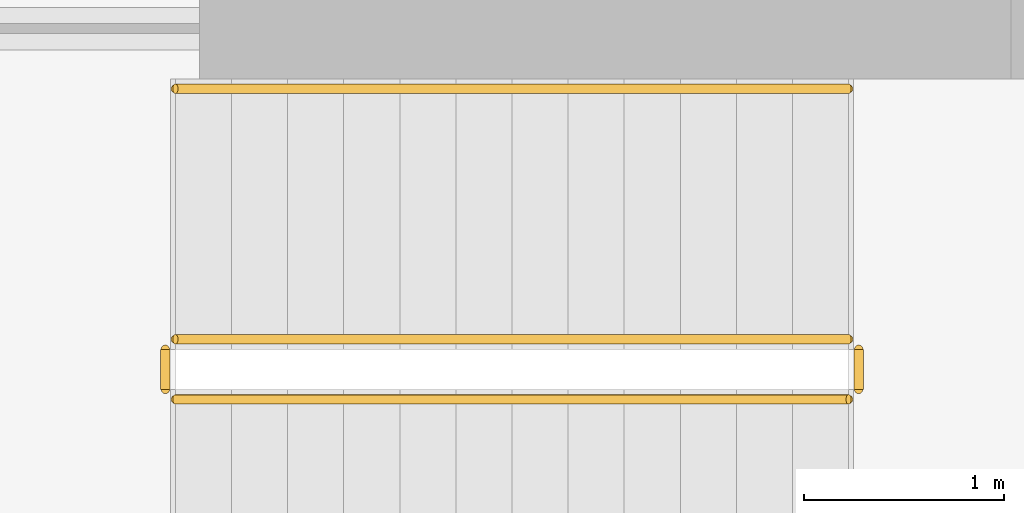
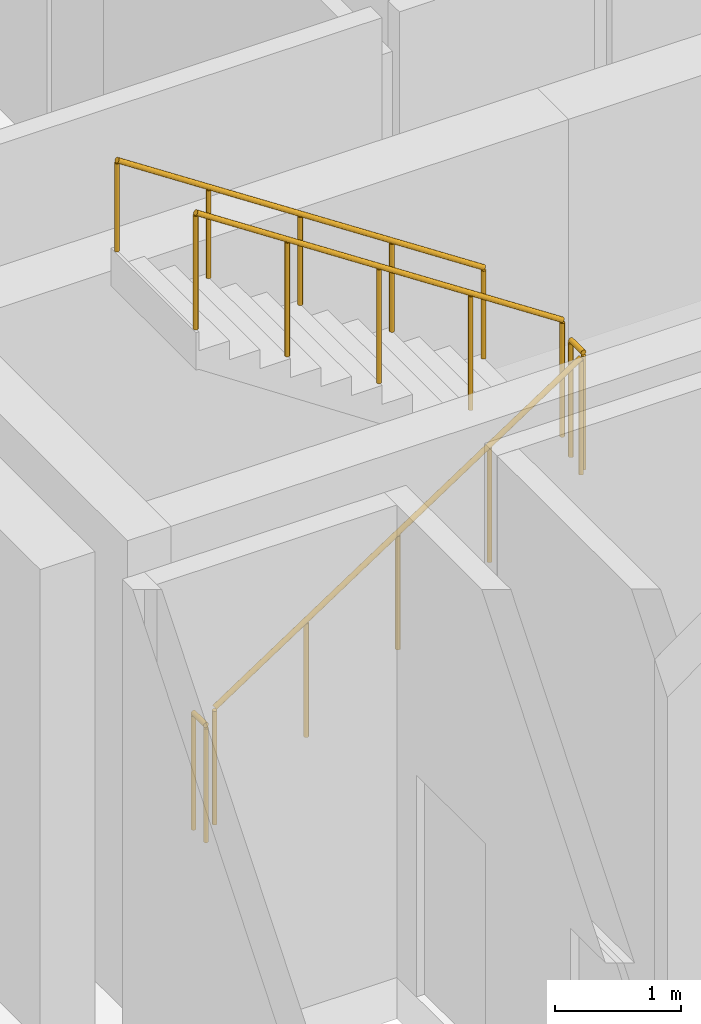
# One storey, part 31 of 33: 5 railings.
"""IFC4 building model written with IfcOpenShell, lengths in metres."""

from ifc_helpers import new_model, si_unit, direction, frame, origin, origin_2d, place, context, subcontext, project, spatial, circle, extrude, material, type_object, element, save


model = new_model("IFC4")

# Units and contexts
model_context = context("Model", 3, precision=1e-05, world=origin(), true_north=direction((0.0, 1.0)))
body_context = subcontext(model_context, "Body", "Model", "MODEL_VIEW")
ifc_project = project(units=[si_unit("LENGTHUNIT", "METRE"), si_unit("AREAUNIT", "SQUARE_METRE"), si_unit("VOLUMEUNIT", "CUBIC_METRE"), si_unit("PLANEANGLEUNIT", "RADIAN"), si_unit("MASSUNIT", "GRAM", prefix="KILO")], contexts=[model_context])

# Site, building, storey
site_placement = place(None, origin())
site = spatial("IfcSite", under=ifc_project, at=site_placement, CompositionType="ELEMENT")
building_placement = place(site_placement, origin())
building = spatial("IfcBuilding", under=site, at=building_placement, Name="Barlavira Tower and Art Museum", CompositionType="ELEMENT")
storey_placement = place(building_placement, frame((0.0, 0.0, 27.60009765625)))
storey = spatial("IfcBuildingStorey", under=building, at=storey_placement, Name="L05", CompositionType="ELEMENT", Elevation=27.60009765625)

# Railings
ifc_material = material(Name="Brushed stainless steel", Category="steel")
railing_type_1 = type_object("IfcRailingType", Name="Interior Void and Landing Guard Railing 1150", PredefinedType="GUARDRAIL", material=ifc_material)
railing_1_placement = place(storey_placement, frame((-4.169921875, 5.64990234375, 0.1845703125)))
element("IfcRailing", 1, at=railing_1_placement, inside=storey, type_object=railing_type_1, Name="L05 ST-T2 stair guard 1", PredefinedType="GUARDRAIL", context=body_context, shape_type="SweptSolid", body=[
    extrude(circle(Radius=0.02392578125, at=origin_2d()), frame((0.0, 0.0, 1.1259765625), z_axis=(0.834858096282, 0.0, 0.550465220583), x_axis=(0.0, 1.0, 0.0)), (0.0, 0.0, 1.0), 4.0244140625),
    extrude(circle(Radius=0.02099609375, at=origin_2d()), origin(), (0.0, 0.0, 1.0), 1.101806640625),
    extrude(circle(Radius=0.02099609375, at=origin_2d()), frame((0.83984375, 0.0, 0.5537109375)), (0.0, 0.0, 1.0), 1.101806640625),
    extrude(circle(Radius=0.02099609375, at=origin_2d()), frame((1.679931640625, 0.0, 1.107666015625)), (0.0, 0.0, 1.0), 1.101806640625),
    extrude(circle(Radius=0.02099609375, at=origin_2d()), frame((2.52001953125, 0.0, 1.66162109375)), (0.0, 0.0, 1.0), 1.101806640625),
    extrude(circle(Radius=0.02099609375, at=origin_2d()), frame((3.35986328125, 0.0, 2.21533203125)), (0.0, 0.0, 1.0), 1.101806640625),
])
railing_2_placement = place(storey_placement, frame((-0.760009765625, 5.699951171875, 2.39990234375)))
element("IfcRailing", 2, at=railing_2_placement, inside=storey, type_object=railing_type_1, Name="L05 ST-T2 stair guard 2", PredefinedType="GUARDRAIL", context=body_context, shape_type="SweptSolid", body=[
    extrude(circle(Radius=0.02392578125, at=origin_2d()), frame((0.0, 0.0, 1.1259765625), z_axis=(0.0, 1.0, 0.0), x_axis=(-1.0, 0.0, 0.0)), (0.0, 0.0, 1.0), 0.199951171875),
    extrude(circle(Radius=0.02099609375, at=origin_2d()), origin(), (0.0, 0.0, 1.0), 1.101806640625),
    extrude(circle(Radius=0.02099609375, at=origin_2d()), frame((0.0, 0.199951171875, 0.0)), (0.0, 0.0, 1.0), 1.101806640625),
])
railing_3_placement = place(storey_placement, frame((-0.81005859375, 5.949951171875, 2.58447265625)))
element("IfcRailing", 3, at=railing_3_placement, inside=storey, type_object=railing_type_1, Name="L05 ST-T2 stair guard 3", PredefinedType="GUARDRAIL", context=body_context, shape_type="SweptSolid", body=[
    extrude(circle(Radius=0.02392578125, at=origin_2d()), frame((0.0, 0.0, 1.1259765625), z_axis=(-0.834858096282, 0.0, 0.550465220583), x_axis=(0.0, -1.0, 0.0)), (0.0, 0.0, 1.0), 4.0244140625),
    extrude(circle(Radius=0.02099609375, at=origin_2d()), origin(), (0.0, 0.0, 1.0), 1.101806640625),
    extrude(circle(Radius=0.02099609375, at=origin_2d()), frame((-0.83984375, 0.0, 0.5537109375)), (0.0, 0.0, 1.0), 1.101806640625),
    extrude(circle(Radius=0.02099609375, at=origin_2d()), frame((-1.679931640625, 0.0, 1.107666015625)), (0.0, 0.0, 1.0), 1.101806640625),
    extrude(circle(Radius=0.02099609375, at=origin_2d()), frame((-2.52001953125, 0.0, 1.66162109375)), (0.0, 0.0, 1.0), 1.101806640625),
    extrude(circle(Radius=0.02099609375, at=origin_2d()), frame((-3.35986328125, 0.0, 2.21533203125)), (0.0, 0.0, 1.0), 1.101806640625),
])
railing_4_placement = place(storey_placement, frame((-4.219970703125, 5.699951171875, 0.0)))
element("IfcRailing", 4, at=railing_4_placement, inside=storey, type_object=railing_type_1, Name="L05 ST-T2 stair guard 4", PredefinedType="GUARDRAIL", context=body_context, shape_type="SweptSolid", body=[
    extrude(circle(Radius=0.02392578125, at=origin_2d()), frame((0.0, 0.0, 1.1259765625), z_axis=(0.0, 1.0, 0.0), x_axis=(-1.0, 0.0, 0.0)), (0.0, 0.0, 1.0), 0.199951171875),
    extrude(circle(Radius=0.02099609375, at=origin_2d()), origin(), (0.0, 0.0, 1.0), 1.101806640625),
    extrude(circle(Radius=0.02099609375, at=origin_2d()), frame((0.0, 0.199951171875, 0.0)), (0.0, 0.0, 1.0), 1.101806640625),
])
railing_type_2 = type_object("IfcRailingType", Name="Stair Pitch Tubular Steel Handrail 920", PredefinedType="HANDRAIL", material=ifc_material)
railing_5_placement = place(storey_placement, frame((-0.81005859375, 7.199951171875, 2.58447265625)))
element("IfcRailing", 5, at=railing_5_placement, inside=storey, type_object=railing_type_2, Name="L05 ST-T2 stair handrail 2", PredefinedType="HANDRAIL", context=body_context, shape_type="SweptSolid", body=[
    extrude(circle(Radius=0.02392578125, at=origin_2d()), frame((0.0, 0.0, 0.8759765625), z_axis=(-0.834858096282, 0.0, 0.550465220583), x_axis=(0.0, -1.0, 0.0)), (0.0, 0.0, 1.0), 4.0244140625),
    extrude(circle(Radius=0.02099609375, at=origin_2d()), origin(), (0.0, 0.0, 1.0), 0.851806640625),
    extrude(circle(Radius=0.02099609375, at=origin_2d()), frame((-0.83984375, 0.0, 0.5537109375)), (0.0, 0.0, 1.0), 0.851806640625),
    extrude(circle(Radius=0.02099609375, at=origin_2d()), frame((-1.679931640625, 0.0, 1.107666015625)), (0.0, 0.0, 1.0), 0.851806640625),
    extrude(circle(Radius=0.02099609375, at=origin_2d()), frame((-2.52001953125, 0.0, 1.66162109375)), (0.0, 0.0, 1.0), 0.851806640625),
    extrude(circle(Radius=0.02099609375, at=origin_2d()), frame((-3.35986328125, 0.0, 2.21533203125)), (0.0, 0.0, 1.0), 0.851806640625),
])

save(model, "model.ifc")
